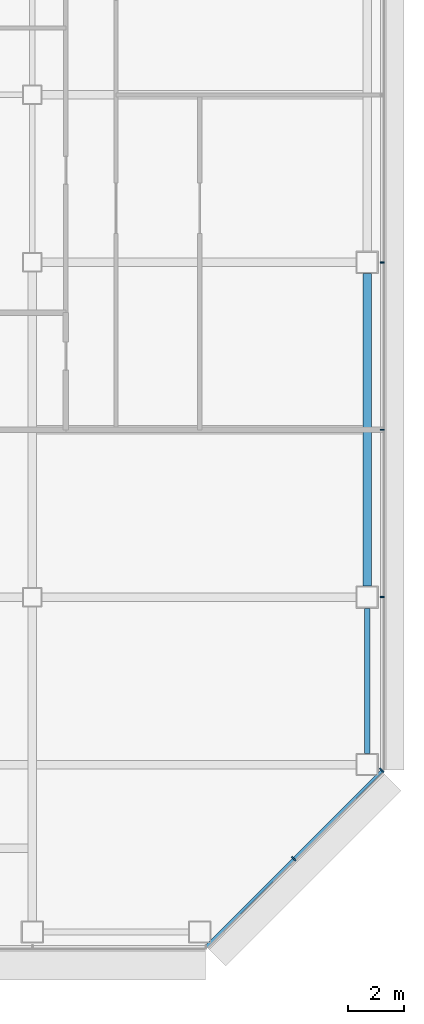
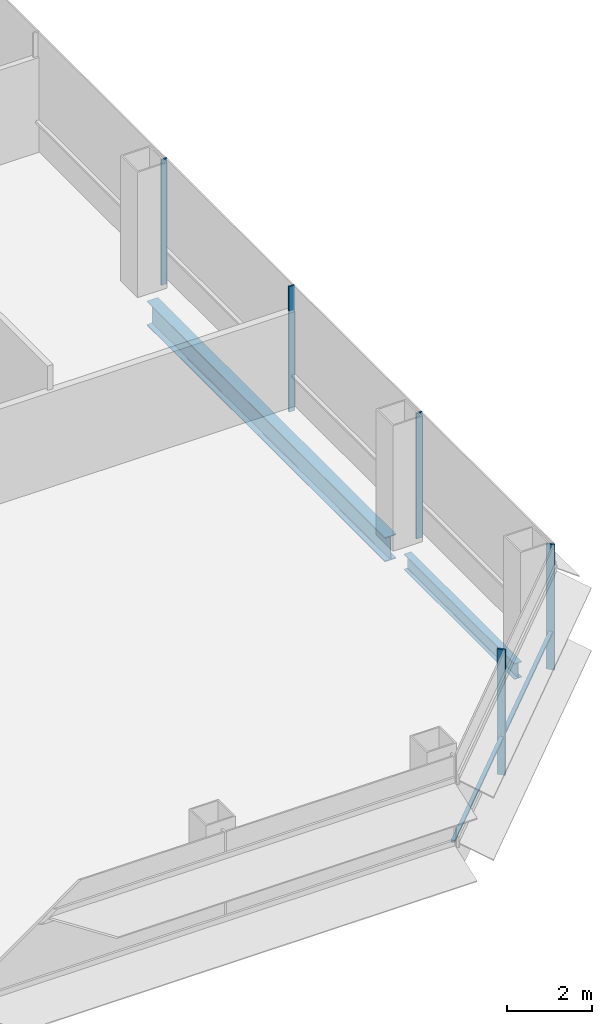
# One storey, part 14 of 26: 6 members, 2 beams, 2 elements without a shape of their own.
"""IFC4 building model written with IfcOpenShell, lengths in metres."""

from ifc_helpers import new_model, si_unit, direction, frame, origin, origin_2d, place, context, subcontext, project, spatial, rectangle, i_section, extrude, material, material_profile, profile_set, type_object, element, aggregate, save


model = new_model("IFC4")

# Units and contexts
model_context = context("Model", 3, precision=1e-05, world=origin(), true_north=direction((0.0, 1.0)))
body_context = subcontext(model_context, "Body", "Model", "MODEL_VIEW")
ifc_project = project(units=[si_unit("LENGTHUNIT", "METRE"), si_unit("AREAUNIT", "SQUARE_METRE"), si_unit("VOLUMEUNIT", "CUBIC_METRE"), si_unit("PLANEANGLEUNIT", "RADIAN"), si_unit("MASSUNIT", "GRAM", prefix="KILO")], contexts=[model_context])

# Site, building, storey
site_placement = place(None, origin())
site = spatial("IfcSite", under=ifc_project, at=site_placement, CompositionType="ELEMENT")
building_placement = place(site_placement, origin())
building = spatial("IfcBuilding", under=site, at=building_placement, Name="Sorahane Residences", CompositionType="ELEMENT")
storey_placement = place(building_placement, frame((0.0, 0.0, 103.39990234375)))
storey = spatial("IfcBuildingStorey", under=building, at=storey_placement, Name="L22", CompositionType="ELEMENT", Elevation=103.39990234375)

# Curtain wall, members
ifc_material_1 = material(Name="Dark low-e glass and black anodised aluminium", Category="aluminium")
curtain_wall_type_1 = type_object("IfcCurtainWallType", Name="Curtain wall CW-1 Typical unitised wall", PredefinedType="NOTDEFINED", material=ifc_material_1)
curtain_wall_1_placement = place(storey_placement, origin())
curtain_wall_1 = element("IfcCurtainWall", 1, at=curtain_wall_1_placement, inside=storey, type_object=curtain_wall_type_1, Name="CW-1 curtain wall L22 E2", PredefinedType="NOTDEFINED")
ifc_material_2 = material(Name="Black anodised aluminium", Category="aluminium")
ifc_material_profile_1 = material_profile(ifc_material_2, rectangle(XDim=0.159912109375, YDim=0.050048828125, at=origin_2d()), Name="Curtain wall mullion CW-1 black anodised aluminium 50x160")
ifc_profile_set_1 = profile_set([ifc_material_profile_1], Name="Black anodised aluminium")
member_type_1 = type_object("IfcMemberType", Name="Curtain wall mullion CW-1 black anodised aluminium 50x160", PredefinedType="MULLION", material=ifc_profile_set_1)
member_1_placement = place(storey_placement, frame((60.5400390625, 12.0, -0.179931640625), z_axis=(0.0, 0.0, 1.0), x_axis=(1.0, 0.0, 0.0)))
member_1 = element("IfcMember", 2, at=member_1_placement, type_object=member_type_1, Name="CW-1 mullion L22 E2.2", PredefinedType="MULLION", context=body_context, shape_type="SweptSolid", body=[
    extrude(rectangle(XDim=0.159912109375, YDim=0.050048828125, at=origin_2d()), origin(), (0.0, 0.0, 1.0), 3.60009765625),
])
member_2_placement = place(storey_placement, frame((60.5400390625, 18.0, -0.179931640625), z_axis=(0.0, 0.0, 1.0), x_axis=(1.0, 0.0, 0.0)))
member_2 = element("IfcMember", 3, at=member_2_placement, type_object=member_type_1, Name="CW-1 mullion L22 E2.3", PredefinedType="MULLION", context=body_context, shape_type="SweptSolid", body=[
    extrude(rectangle(XDim=0.159912109375, YDim=0.050048828125, at=origin_2d()), origin(), (0.0, 0.0, 1.0), 3.60009765625),
])
member_3_placement = place(storey_placement, frame((60.5400390625, 24.0, -0.179931640625), z_axis=(0.0, 0.0, 1.0), x_axis=(1.0, 0.0, 0.0)))
member_3 = element("IfcMember", 4, at=member_3_placement, type_object=member_type_1, Name="CW-1 mullion L22 E2.4", PredefinedType="MULLION", context=body_context, shape_type="SweptSolid", body=[
    extrude(rectangle(XDim=0.159912109375, YDim=0.050048828125, at=origin_2d()), origin(), (0.0, 0.0, 1.0), 3.60009765625),
])
aggregate(curtain_wall_1, [member_1, member_2, member_3])

ifc_material_3 = material(Name="Dark low-e glass and black anodised aluminium", Category="aluminium")
curtain_wall_type_2 = type_object("IfcCurtainWallType", Name="Curtain wall CW-2 Chamfer unitised wall", PredefinedType="NOTDEFINED", material=ifc_material_3)
curtain_wall_2_placement = place(storey_placement, origin())
curtain_wall_2 = element("IfcCurtainWall", 5, at=curtain_wall_2_placement, inside=storey, type_object=curtain_wall_type_2, Name="CW-2 curtain wall L22 SE1", PredefinedType="NOTDEFINED")
ifc_material_4 = material(Name="Black anodised aluminium", Category="aluminium")
ifc_material_profile_2 = material_profile(ifc_material_4, rectangle(XDim=0.199951171875, YDim=0.050048828125, at=origin_2d()), Name="Curtain wall mullion CW-2 black anodised aluminium 50x200")
ifc_profile_set_2 = profile_set([ifc_material_profile_2], Name="Black anodised aluminium")
member_type_2 = type_object("IfcMemberType", Name="Curtain wall mullion CW-2 black anodised aluminium 50x200", PredefinedType="MULLION", material=ifc_profile_set_2)
member_4_placement = place(storey_placement, frame((57.36767578125, 2.63232421875, -0.179931640625), z_axis=(0.0, 0.0, 1.0), x_axis=(0.707106781187, -0.707106781187, 0.0)))
member_4 = element("IfcMember", 6, at=member_4_placement, type_object=member_type_2, Name="CW-2 mullion L22 SE1.2", PredefinedType="MULLION", context=body_context, shape_type="SweptSolid", body=[
    extrude(rectangle(XDim=0.199951171875, YDim=0.050048828125, at=origin_2d()), origin(), (0.0, 0.0, 1.0), 3.60009765625),
])
member_5_placement = place(storey_placement, frame((60.525634765625, 5.790283203125, -0.179931640625), z_axis=(0.0, 0.0, 1.0), x_axis=(0.707106781187, -0.707106781187, 0.0)))
member_5 = element("IfcMember", 7, at=member_5_placement, type_object=member_type_2, Name="CW-2 mullion L22 SE1.3", PredefinedType="MULLION", context=body_context, shape_type="SweptSolid", body=[
    extrude(rectangle(XDim=0.199951171875, YDim=0.050048828125, at=origin_2d()), origin(), (0.0, 0.0, 1.0), 3.60009765625),
])
ifc_material_5 = material(Name="Black anodised aluminium", Category="aluminium")
ifc_material_profile_3 = material_profile(ifc_material_5, rectangle(XDim=0.10009765625, YDim=0.06005859375, at=origin_2d()), Name="Curtain wall transom CW-2 black anodised aluminium 60x100")
ifc_profile_set_3 = profile_set([ifc_material_profile_3], Name="Black anodised aluminium")
member_type_3 = type_object("IfcMemberType", Name="Curtain wall transom CW-2 black anodised aluminium 60x100", PredefinedType="USERDEFINED", material=ifc_profile_set_3)
member_6_placement = place(storey_placement, frame((54.234375, -0.51513671875, 0.900146484375), z_axis=(0.707106781187, 0.707106781187, 0.0), x_axis=(-0.707106781187, 0.707106781187, 0.0)))
member_6 = element("IfcMember", 8, at=member_6_placement, type_object=member_type_3, Name="CW-2 transom L22 SE1", ObjectType="TRANSOM", PredefinedType="USERDEFINED", context=body_context, shape_type="SweptSolid", body=[
    extrude(rectangle(XDim=0.10009765625, YDim=0.06005859375, at=origin_2d()), origin(), (0.0, 0.0, 1.0), 8.88232421875),
])
aggregate(curtain_wall_2, [member_4, member_5, member_6])

# Beams
ifc_material_6 = material(Name="Steel Q355B", Category="steel")
ifc_material_profile_4 = material_profile(ifc_material_6, i_section(OverallWidth=0.199951171875, OverallDepth=0.449951171875, WebThickness=0.009033203125, FlangeThickness=0.013916015625, FilletRadius=0.02001953125, at=origin_2d()), Name="HN 450x200x9x14")
ifc_profile_set_4 = profile_set([ifc_material_profile_4], Name="Steel Q355B")
beam_type_1 = type_object("IfcBeamType", Name="Steel floor beam HN 450x200x9x14 Q355B", PredefinedType="BEAM", material=ifc_profile_set_4)
beam_1_placement = place(storey_placement, frame((60.0, 6.39990234375, -0.40478515625), z_axis=(0.0, 1.0, 0.0), x_axis=(-1.0, 0.0, 0.0)))
element("IfcBeam", 9, at=beam_1_placement, inside=storey, type_object=beam_type_1, Name="Beam L22 061", PredefinedType="BEAM", context=body_context, shape_type="SweptSolid", body=[
    extrude(i_section(OverallWidth=0.199951171875, OverallDepth=0.449951171875, WebThickness=0.009033203125, FlangeThickness=0.013916015625, FilletRadius=0.02001953125, at=origin_2d()), origin(), (0.0, 0.0, 1.0), 5.2001953125),
])
ifc_material_7 = material(Name="Steel Q355B", Category="steel")
ifc_material_profile_5 = material_profile(ifc_material_7, i_section(OverallWidth=0.300048828125, OverallDepth=0.699951171875, WebThickness=0.012939453125, FlangeThickness=0.02392578125, FilletRadius=0.028076171875, at=origin_2d()), Name="HN 700x300x13x24")
ifc_profile_set_5 = profile_set([ifc_material_profile_5], Name="Steel Q355B")
beam_type_2 = type_object("IfcBeamType", Name="Steel floor beam HN 700x300x13x24 Q355B", PredefinedType="BEAM", material=ifc_profile_set_5)
beam_2_placement = place(storey_placement, frame((60.0, 12.39990234375, -0.52978515625), z_axis=(0.0, 1.0, 0.0), x_axis=(-1.0, 0.0, 0.0)))
element("IfcBeam", 10, at=beam_2_placement, inside=storey, type_object=beam_type_2, Name="Beam L22 062", PredefinedType="BEAM", context=body_context, shape_type="SweptSolid", body=[
    extrude(i_section(OverallWidth=0.300048828125, OverallDepth=0.699951171875, WebThickness=0.012939453125, FlangeThickness=0.02392578125, FilletRadius=0.028076171875, at=origin_2d()), origin(), (0.0, 0.0, 1.0), 11.2001953125),
])

save(model, "model.ifc")
